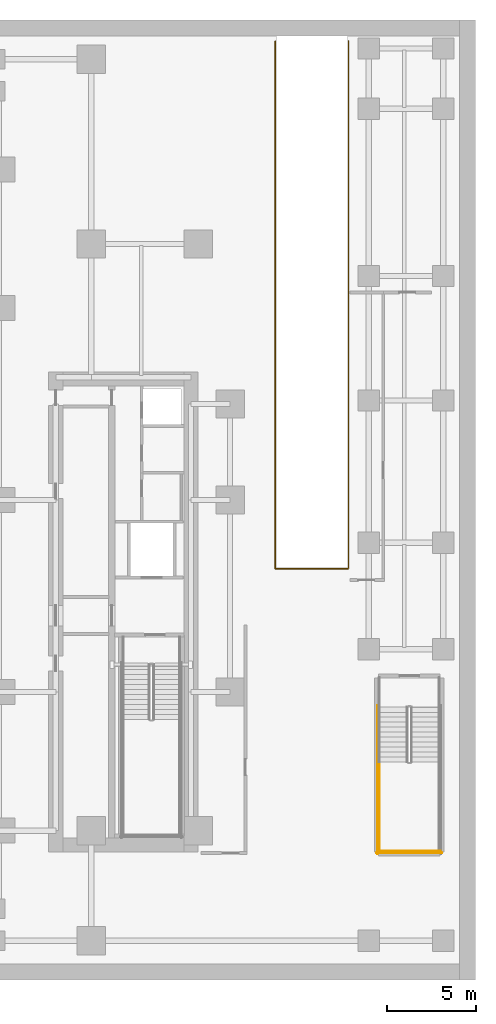
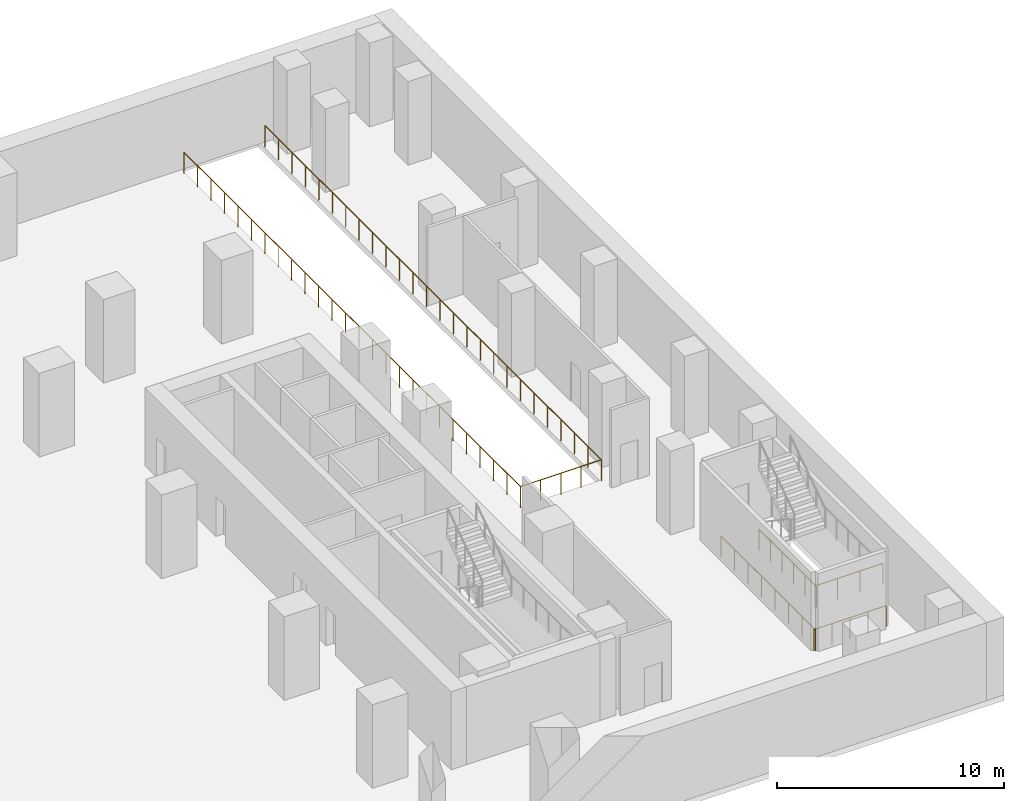
# One storey, part 13 of 14: 5 railings.
"""IFC4 building model written with IfcOpenShell, lengths in metres."""

from ifc_helpers import new_model, si_unit, direction, frame, origin, origin_2d, place, context, subcontext, project, spatial, circle, extrude, material, type_object, element, save


model = new_model("IFC4")

# Units and contexts
model_context = context("Model", 3, precision=1e-05, world=origin(), true_north=direction((0.0, 1.0)))
body_context = subcontext(model_context, "Body", "Model", "MODEL_VIEW")
ifc_project = project(units=[si_unit("LENGTHUNIT", "METRE"), si_unit("AREAUNIT", "SQUARE_METRE"), si_unit("VOLUMEUNIT", "CUBIC_METRE"), si_unit("PLANEANGLEUNIT", "RADIAN"), si_unit("MASSUNIT", "GRAM", prefix="KILO")], contexts=[model_context])

# Site, building, storey
site_placement = place(None, origin())
site = spatial("IfcSite", under=ifc_project, at=site_placement, CompositionType="ELEMENT")
building_placement = place(site_placement, origin())
building = spatial("IfcBuilding", under=site, at=building_placement, Name="Khairoan Windgate Tower", CompositionType="ELEMENT")
storey_placement = place(building_placement, frame((0.0, 0.0, -4.5)))
storey = spatial("IfcBuildingStorey", under=building, at=storey_placement, Name="B1", CompositionType="ELEMENT", Elevation=-4.5)

# Railings
ifc_material_1 = material(Name="Steel S355", Category="steel")
railing_type_1 = type_object("IfcRailingType", Name="Ramp Safety Guardrail RG-1150", PredefinedType="GUARDRAIL", material=ifc_material_1)
railing_1_placement = place(storey_placement, frame((24.739990234375, 25.800048828125, 0.0)))
element("IfcRailing", 1, at=railing_1_placement, inside=storey, type_object=railing_type_1, Name="B1 Ramp R2 Void Perimeter Guardrail", PredefinedType="GUARDRAIL", context=body_context, shape_type="SweptSolid", body=[
    extrude(circle(Radius=0.02392578125, at=origin_2d()), frame((0.0, 0.0, 1.1259765625), z_axis=(0.0, -1.0, 0.0), x_axis=(1.0, 0.0, 0.0)), (0.0, 0.0, 1.0), 29.66015625),
    extrude(circle(Radius=0.02392578125, at=origin_2d()), frame((0.0, -29.66015625, 1.1259765625), z_axis=(1.0, 0.0, 0.0), x_axis=(0.0, 1.0, 0.0)), (0.0, 0.0, 1.0), 4.1201171875),
    extrude(circle(Radius=0.02392578125, at=origin_2d()), frame((4.1201171875, -29.66015625, 1.1259765625), z_axis=(0.0, 1.0, 0.0), x_axis=(-1.0, 0.0, 0.0)), (0.0, 0.0, 1.0), 29.66015625),
    extrude(circle(Radius=0.02099609375, at=origin_2d()), origin(), (0.0, 0.0, 1.0), 1.101806640625),
    extrude(circle(Radius=0.02099609375, at=origin_2d()), frame((0.0, -1.1865234375, 0.0)), (0.0, 0.0, 1.0), 1.101806640625),
    extrude(circle(Radius=0.02099609375, at=origin_2d()), frame((0.0, -2.372802734375, 0.0)), (0.0, 0.0, 1.0), 1.101806640625),
    extrude(circle(Radius=0.02099609375, at=origin_2d()), frame((0.0, -3.559326171875, 0.0)), (0.0, 0.0, 1.0), 1.101806640625),
    extrude(circle(Radius=0.02099609375, at=origin_2d()), frame((0.0, -4.74560546875, 0.0)), (0.0, 0.0, 1.0), 1.101806640625),
    extrude(circle(Radius=0.02099609375, at=origin_2d()), frame((0.0, -5.93212890625, 0.0)), (0.0, 0.0, 1.0), 1.101806640625),
    extrude(circle(Radius=0.02099609375, at=origin_2d()), frame((0.0, -7.118408203125, 0.0)), (0.0, 0.0, 1.0), 1.101806640625),
    extrude(circle(Radius=0.02099609375, at=origin_2d()), frame((0.0, -8.304931640625, 0.0)), (0.0, 0.0, 1.0), 1.101806640625),
    extrude(circle(Radius=0.02099609375, at=origin_2d()), frame((0.0, -9.4912109375, 0.0)), (0.0, 0.0, 1.0), 1.101806640625),
    extrude(circle(Radius=0.02099609375, at=origin_2d()), frame((0.0, -10.677734375, 0.0)), (0.0, 0.0, 1.0), 1.101806640625),
    extrude(circle(Radius=0.02099609375, at=origin_2d()), frame((0.0, -11.864013671875, 0.0)), (0.0, 0.0, 1.0), 1.101806640625),
    extrude(circle(Radius=0.02099609375, at=origin_2d()), frame((0.0, -13.050537109375, 0.0)), (0.0, 0.0, 1.0), 1.101806640625),
    extrude(circle(Radius=0.02099609375, at=origin_2d()), frame((0.0, -14.23681640625, 0.0)), (0.0, 0.0, 1.0), 1.101806640625),
    extrude(circle(Radius=0.02099609375, at=origin_2d()), frame((0.0, -15.42333984375, 0.0)), (0.0, 0.0, 1.0), 1.101806640625),
    extrude(circle(Radius=0.02099609375, at=origin_2d()), frame((0.0, -16.609619140625, 0.0)), (0.0, 0.0, 1.0), 1.101806640625),
    extrude(circle(Radius=0.02099609375, at=origin_2d()), frame((0.0, -17.796142578125, 0.0)), (0.0, 0.0, 1.0), 1.101806640625),
    extrude(circle(Radius=0.02099609375, at=origin_2d()), frame((0.0, -18.982421875, 0.0)), (0.0, 0.0, 1.0), 1.101806640625),
    extrude(circle(Radius=0.02099609375, at=origin_2d()), frame((0.0, -20.1689453125, 0.0)), (0.0, 0.0, 1.0), 1.101806640625),
    extrude(circle(Radius=0.02099609375, at=origin_2d()), frame((0.0, -21.355224609375, 0.0)), (0.0, 0.0, 1.0), 1.101806640625),
    extrude(circle(Radius=0.02099609375, at=origin_2d()), frame((0.0, -22.541748046875, 0.0)), (0.0, 0.0, 1.0), 1.101806640625),
    extrude(circle(Radius=0.02099609375, at=origin_2d()), frame((0.0, -23.72802734375, 0.0)), (0.0, 0.0, 1.0), 1.101806640625),
    extrude(circle(Radius=0.02099609375, at=origin_2d()), frame((0.0, -24.91455078125, 0.0)), (0.0, 0.0, 1.0), 1.101806640625),
    extrude(circle(Radius=0.02099609375, at=origin_2d()), frame((0.0, -26.100830078125, 0.0)), (0.0, 0.0, 1.0), 1.101806640625),
    extrude(circle(Radius=0.02099609375, at=origin_2d()), frame((0.0, -27.287353515625, 0.0)), (0.0, 0.0, 1.0), 1.101806640625),
    extrude(circle(Radius=0.02099609375, at=origin_2d()), frame((0.0, -28.4736328125, 0.0)), (0.0, 0.0, 1.0), 1.101806640625),
    extrude(circle(Radius=0.02099609375, at=origin_2d()), frame((0.0, -29.66015625, 0.0)), (0.0, 0.0, 1.0), 1.101806640625),
    extrude(circle(Radius=0.02099609375, at=origin_2d()), frame((1.030029296875, -29.66015625, 0.0)), (0.0, 0.0, 1.0), 1.101806640625),
    extrude(circle(Radius=0.02099609375, at=origin_2d()), frame((2.06005859375, -29.66015625, 0.0)), (0.0, 0.0, 1.0), 1.101806640625),
    extrude(circle(Radius=0.02099609375, at=origin_2d()), frame((3.090087890625, -29.66015625, 0.0)), (0.0, 0.0, 1.0), 1.101806640625),
    extrude(circle(Radius=0.02099609375, at=origin_2d()), frame((4.1201171875, -29.66015625, 0.0)), (0.0, 0.0, 1.0), 1.101806640625),
    extrude(circle(Radius=0.02099609375, at=origin_2d()), frame((4.1201171875, -28.4736328125, 0.0)), (0.0, 0.0, 1.0), 1.101806640625),
    extrude(circle(Radius=0.02099609375, at=origin_2d()), frame((4.1201171875, -27.287353515625, 0.0)), (0.0, 0.0, 1.0), 1.101806640625),
    extrude(circle(Radius=0.02099609375, at=origin_2d()), frame((4.1201171875, -26.100830078125, 0.0)), (0.0, 0.0, 1.0), 1.101806640625),
    extrude(circle(Radius=0.02099609375, at=origin_2d()), frame((4.1201171875, -24.91455078125, 0.0)), (0.0, 0.0, 1.0), 1.101806640625),
    extrude(circle(Radius=0.02099609375, at=origin_2d()), frame((4.1201171875, -23.72802734375, 0.0)), (0.0, 0.0, 1.0), 1.101806640625),
    extrude(circle(Radius=0.02099609375, at=origin_2d()), frame((4.1201171875, -22.541748046875, 0.0)), (0.0, 0.0, 1.0), 1.101806640625),
    extrude(circle(Radius=0.02099609375, at=origin_2d()), frame((4.1201171875, -21.355224609375, 0.0)), (0.0, 0.0, 1.0), 1.101806640625),
    extrude(circle(Radius=0.02099609375, at=origin_2d()), frame((4.1201171875, -20.1689453125, 0.0)), (0.0, 0.0, 1.0), 1.101806640625),
    extrude(circle(Radius=0.02099609375, at=origin_2d()), frame((4.1201171875, -18.982421875, 0.0)), (0.0, 0.0, 1.0), 1.101806640625),
    extrude(circle(Radius=0.02099609375, at=origin_2d()), frame((4.1201171875, -17.796142578125, 0.0)), (0.0, 0.0, 1.0), 1.101806640625),
    extrude(circle(Radius=0.02099609375, at=origin_2d()), frame((4.1201171875, -16.609619140625, 0.0)), (0.0, 0.0, 1.0), 1.101806640625),
    extrude(circle(Radius=0.02099609375, at=origin_2d()), frame((4.1201171875, -15.42333984375, 0.0)), (0.0, 0.0, 1.0), 1.101806640625),
    extrude(circle(Radius=0.02099609375, at=origin_2d()), frame((4.1201171875, -14.23681640625, 0.0)), (0.0, 0.0, 1.0), 1.101806640625),
    extrude(circle(Radius=0.02099609375, at=origin_2d()), frame((4.1201171875, -13.050537109375, 0.0)), (0.0, 0.0, 1.0), 1.101806640625),
    extrude(circle(Radius=0.02099609375, at=origin_2d()), frame((4.1201171875, -11.864013671875, 0.0)), (0.0, 0.0, 1.0), 1.101806640625),
    extrude(circle(Radius=0.02099609375, at=origin_2d()), frame((4.1201171875, -10.677734375, 0.0)), (0.0, 0.0, 1.0), 1.101806640625),
    extrude(circle(Radius=0.02099609375, at=origin_2d()), frame((4.1201171875, -9.4912109375, 0.0)), (0.0, 0.0, 1.0), 1.101806640625),
    extrude(circle(Radius=0.02099609375, at=origin_2d()), frame((4.1201171875, -8.304931640625, 0.0)), (0.0, 0.0, 1.0), 1.101806640625),
    extrude(circle(Radius=0.02099609375, at=origin_2d()), frame((4.1201171875, -7.118408203125, 0.0)), (0.0, 0.0, 1.0), 1.101806640625),
    extrude(circle(Radius=0.02099609375, at=origin_2d()), frame((4.1201171875, -5.93212890625, 0.0)), (0.0, 0.0, 1.0), 1.101806640625),
    extrude(circle(Radius=0.02099609375, at=origin_2d()), frame((4.1201171875, -4.74560546875, 0.0)), (0.0, 0.0, 1.0), 1.101806640625),
    extrude(circle(Radius=0.02099609375, at=origin_2d()), frame((4.1201171875, -3.559326171875, 0.0)), (0.0, 0.0, 1.0), 1.101806640625),
    extrude(circle(Radius=0.02099609375, at=origin_2d()), frame((4.1201171875, -2.372802734375, 0.0)), (0.0, 0.0, 1.0), 1.101806640625),
    extrude(circle(Radius=0.02099609375, at=origin_2d()), frame((4.1201171875, -1.1865234375, 0.0)), (0.0, 0.0, 1.0), 1.101806640625),
    extrude(circle(Radius=0.02099609375, at=origin_2d()), frame((4.1201171875, 0.0, 0.0)), (0.0, 0.0, 1.0), 1.101806640625),
])
ifc_material_2 = material(Name="Steel S355", Category="steel")
railing_type_2 = type_object("IfcRailingType", Name="Stairwell Safety Guardrail SGR-1150", PredefinedType="GUARDRAIL", material=ifc_material_2)
railing_2_placement = place(storey_placement, frame((30.60009765625, -14.739990234375, 2.25)))
element("IfcRailing", 2, at=railing_2_placement, inside=storey, type_object=railing_type_2, Name="B1 ST3 stair guard 3", PredefinedType="GUARDRAIL", context=body_context, shape_type="SweptSolid", body=[
    extrude(circle(Radius=0.02392578125, at=origin_2d()), frame((0.0, 0.0, 1.1259765625), z_axis=(0.0, -1.0, 0.0), x_axis=(1.0, 0.0, 0.0)), (0.0, 0.0, 1.0), 5.06005859375),
    extrude(circle(Radius=0.02099609375, at=origin_2d()), origin(), (0.0, 0.0, 1.0), 1.101806640625),
    extrude(circle(Radius=0.02099609375, at=origin_2d()), frame((0.0, -1.011962890625, 0.0)), (0.0, 0.0, 1.0), 1.101806640625),
    extrude(circle(Radius=0.02099609375, at=origin_2d()), frame((0.0, -2.02392578125, 0.0)), (0.0, 0.0, 1.0), 1.101806640625),
    extrude(circle(Radius=0.02099609375, at=origin_2d()), frame((0.0, -3.0361328125, 0.0)), (0.0, 0.0, 1.0), 1.101806640625),
    extrude(circle(Radius=0.02099609375, at=origin_2d()), frame((0.0, -4.048095703125, 0.0)), (0.0, 0.0, 1.0), 1.101806640625),
    extrude(circle(Radius=0.02099609375, at=origin_2d()), frame((0.0, -5.06005859375, 0.0)), (0.0, 0.0, 1.0), 1.101806640625),
])
railing_3_placement = place(storey_placement, frame((30.550048828125, -19.75, 2.25)))
element("IfcRailing", 3, at=railing_3_placement, inside=storey, type_object=railing_type_2, Name="B1 ST3 stair guard 5", PredefinedType="GUARDRAIL", context=body_context, shape_type="SweptSolid", body=[
    extrude(circle(Radius=0.02392578125, at=origin_2d()), frame((0.0, 0.0, 1.1259765625), z_axis=(1.0, 0.0, 0.0), x_axis=(0.0, 1.0, 0.0)), (0.0, 0.0, 1.0), 3.469970703125),
    extrude(circle(Radius=0.02099609375, at=origin_2d()), origin(), (0.0, 0.0, 1.0), 1.101806640625),
    extrude(circle(Radius=0.02099609375, at=origin_2d()), frame((1.15673828125, 0.0, 0.0)), (0.0, 0.0, 1.0), 1.101806640625),
    extrude(circle(Radius=0.02099609375, at=origin_2d()), frame((2.313232421875, 0.0, 0.0)), (0.0, 0.0, 1.0), 1.101806640625),
    extrude(circle(Radius=0.02099609375, at=origin_2d()), frame((3.469970703125, 0.0, 0.0)), (0.0, 0.0, 1.0), 1.101806640625),
])
railing_4_placement = place(storey_placement, frame((30.5, -11.56005859375, 0.0)))
element("IfcRailing", 4, at=railing_4_placement, inside=storey, type_object=railing_type_2, Name="B1 ST3 stair guard 10", PredefinedType="GUARDRAIL", context=body_context, shape_type="SweptSolid", body=[
    extrude(circle(Radius=0.02392578125, at=origin_2d()), frame((0.0, 0.0, 1.1259765625), z_axis=(0.0, -1.0, 0.0), x_axis=(1.0, 0.0, 0.0)), (0.0, 0.0, 1.0), 8.33984375),
    extrude(circle(Radius=0.02099609375, at=origin_2d()), origin(), (0.0, 0.0, 1.0), 1.101806640625),
    extrude(circle(Radius=0.02099609375, at=origin_2d()), frame((0.0, -1.19140625, 0.0)), (0.0, 0.0, 1.0), 1.101806640625),
    extrude(circle(Radius=0.02099609375, at=origin_2d()), frame((0.0, -2.3828125, 0.0)), (0.0, 0.0, 1.0), 1.101806640625),
    extrude(circle(Radius=0.02099609375, at=origin_2d()), frame((0.0, -3.57421875, 0.0)), (0.0, 0.0, 1.0), 1.101806640625),
    extrude(circle(Radius=0.02099609375, at=origin_2d()), frame((0.0, -4.765625, 0.0)), (0.0, 0.0, 1.0), 1.101806640625),
    extrude(circle(Radius=0.02099609375, at=origin_2d()), frame((0.0, -5.95703125, 0.0)), (0.0, 0.0, 1.0), 1.101806640625),
    extrude(circle(Radius=0.02099609375, at=origin_2d()), frame((0.0, -7.1484375, 0.0)), (0.0, 0.0, 1.0), 1.101806640625),
    extrude(circle(Radius=0.02099609375, at=origin_2d()), frame((0.0, -8.33984375, 0.0)), (0.0, 0.0, 1.0), 1.101806640625),
])
railing_5_placement = place(storey_placement, frame((30.449951171875, -19.85009765625, 0.0)))
element("IfcRailing", 5, at=railing_5_placement, inside=storey, type_object=railing_type_2, Name="B1 ST3 stair guard 12", PredefinedType="GUARDRAIL", context=body_context, shape_type="SweptSolid", body=[
    extrude(circle(Radius=0.02392578125, at=origin_2d()), frame((0.0, 0.0, 1.1259765625), z_axis=(1.0, 0.0, 0.0), x_axis=(0.0, 1.0, 0.0)), (0.0, 0.0, 1.0), 3.670166015625),
    extrude(circle(Radius=0.02099609375, at=origin_2d()), origin(), (0.0, 0.0, 1.0), 1.101806640625),
    extrude(circle(Radius=0.02099609375, at=origin_2d()), frame((0.91748046875, 0.0, 0.0)), (0.0, 0.0, 1.0), 1.101806640625),
    extrude(circle(Radius=0.02099609375, at=origin_2d()), frame((1.8349609375, 0.0, 0.0)), (0.0, 0.0, 1.0), 1.101806640625),
    extrude(circle(Radius=0.02099609375, at=origin_2d()), frame((2.752685546875, 0.0, 0.0)), (0.0, 0.0, 1.0), 1.101806640625),
    extrude(circle(Radius=0.02099609375, at=origin_2d()), frame((3.670166015625, 0.0, 0.0)), (0.0, 0.0, 1.0), 1.101806640625),
])

save(model, "model.ifc")
